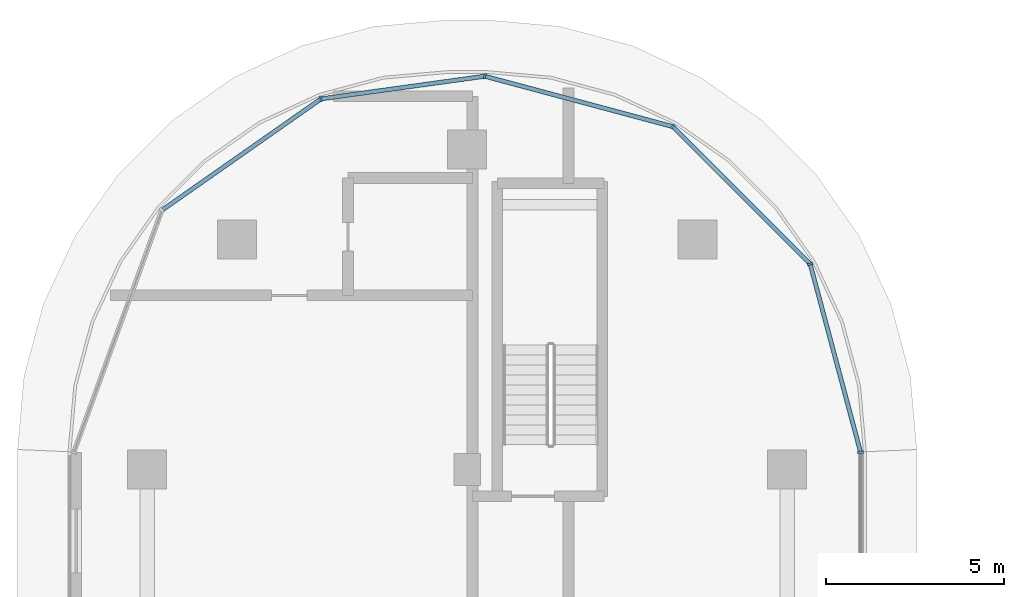
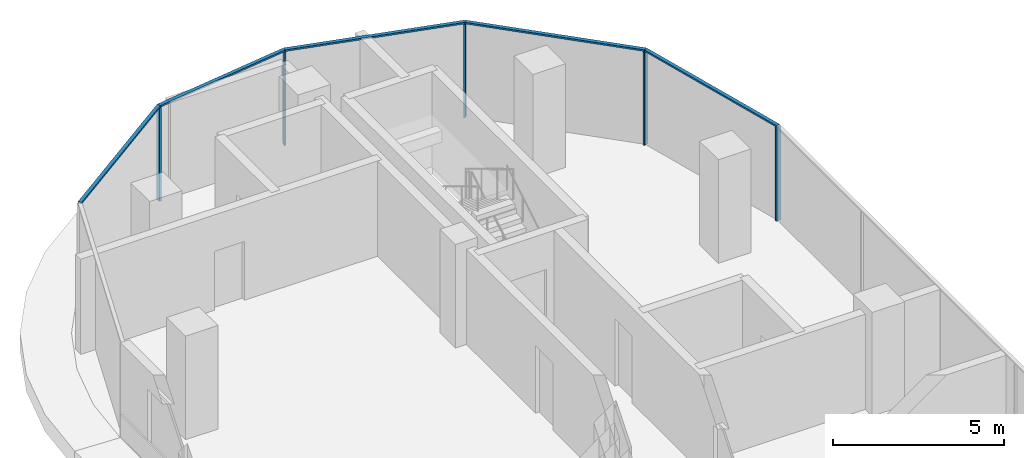
# One storey, part 7 of 26: 10 members, 2 elements without a shape of their own.
"""IFC4 building model written with IfcOpenShell, lengths in metres."""

from ifc_helpers import new_model, si_unit, direction, frame, origin, origin_2d, place, context, subcontext, project, spatial, rectangle, extrude, material, material_profile, profile_set, type_object, element, aggregate, save


model = new_model("IFC4")

# Units and contexts
model_context = context("Model", 3, precision=1e-05, world=origin(), true_north=direction((0.0, 1.0)))
body_context = subcontext(model_context, "Body", "Model", "MODEL_VIEW")
ifc_project = project(units=[si_unit("LENGTHUNIT", "METRE"), si_unit("AREAUNIT", "SQUARE_METRE"), si_unit("VOLUMEUNIT", "CUBIC_METRE"), si_unit("PLANEANGLEUNIT", "RADIAN"), si_unit("MASSUNIT", "GRAM", prefix="KILO")], contexts=[model_context])

# Site, building, storey
site_placement = place(None, origin())
site = spatial("IfcSite", under=ifc_project, at=site_placement, CompositionType="ELEMENT")
building_placement = place(site_placement, origin())
building = spatial("IfcBuilding", under=site, at=building_placement, Name="Ogive Portal Towers", CompositionType="ELEMENT")
storey_placement = place(building_placement, frame((0.0, 0.0, 171.800048828125)))
storey = spatial("IfcBuildingStorey", under=building, at=storey_placement, Name="L42", CompositionType="ELEMENT", Elevation=171.800048828125)

# Curtain wall, member
ifc_material_1 = material(Name="Glass, clear low-iron insulated glazing", Category="glass")
curtain_wall_type = type_object("IfcCurtainWallType", Name="CW FRONT RIBBON 4500", PredefinedType="NOTDEFINED", material=ifc_material_1)
curtain_wall_1_placement = place(storey_placement, origin())
curtain_wall_1 = element("IfcCurtainWall", 1, at=curtain_wall_1_placement, inside=storey, type_object=curtain_wall_type, Name="A:L42:f15:cw0", PredefinedType="NOTDEFINED")
ifc_material_2 = material(Name="Aluminium 6063 anodised", Category="aluminium")
ifc_material_profile_1 = material_profile(ifc_material_2, rectangle(XDim=0.159912109375, YDim=0.06005859375, at=origin_2d()), Name="AL 60x160")
ifc_profile_set_1 = profile_set([ifc_material_profile_1], Name="Aluminium 6063 anodised")
member_type_1 = type_object("IfcMemberType", Name="CW MULLION 60x160", PredefinedType="MULLION", material=ifc_profile_set_1)
member_1_placement = place(storey_placement, frame((51.56494140625, 66.989501953125, 0.0), z_axis=(0.0, 0.0, 1.0), x_axis=(-1.0, 0.0, 0.0)))
member_1 = element("IfcMember", 2, at=member_1_placement, type_object=member_type_1, Name="mullion", PredefinedType="MULLION", context=body_context, shape_type="SweptSolid", body=[
    extrude(rectangle(XDim=0.159912109375, YDim=0.06005859375, at=origin_2d()), origin(), (0.0, 0.0, 1.0), 3.33984375),
])
aggregate(curtain_wall_1, [member_1])

# Curtain wall, members
curtain_wall_2_placement = place(storey_placement, origin())
curtain_wall_2 = element("IfcCurtainWall", 3, at=curtain_wall_2_placement, inside=storey, type_object=curtain_wall_type, Name="A:L42:f16:cwa", PredefinedType="NOTDEFINED")
member_2_placement = place(storey_placement, frame((50.147216796875, 72.281005859375, 0.0), z_axis=(0.0, 0.0, 1.0), x_axis=(-0.965925826289, -0.258819045103, 0.0)))
member_2 = element("IfcMember", 4, at=member_2_placement, type_object=member_type_1, Name="mullion", PredefinedType="MULLION", context=body_context, shape_type="SweptSolid", body=[
    extrude(rectangle(XDim=0.159912109375, YDim=0.06005859375, at=origin_2d()), origin(), (0.0, 0.0, 1.0), 3.33984375),
])
member_3_placement = place(storey_placement, frame((46.281005859375, 76.147216796875, 0.0), z_axis=(0.0, 0.0, 1.0), x_axis=(-0.707106781187, -0.707106781187, 0.0)))
member_3 = element("IfcMember", 5, at=member_3_placement, type_object=member_type_1, Name="mullion", PredefinedType="MULLION", context=body_context, shape_type="SweptSolid", body=[
    extrude(rectangle(XDim=0.159912109375, YDim=0.06005859375, at=origin_2d()), origin(), (0.0, 0.0, 1.0), 3.33984375),
])
member_4_placement = place(storey_placement, frame((40.994873046875, 77.5634765625, 0.0), z_axis=(0.0, 0.0, 1.0), x_axis=(-0.258819045103, -0.965925826289, 0.0)))
member_4 = element("IfcMember", 6, at=member_4_placement, type_object=member_type_1, Name="mullion", PredefinedType="MULLION", context=body_context, shape_type="SweptSolid", body=[
    extrude(rectangle(XDim=0.159912109375, YDim=0.06005859375, at=origin_2d()), origin(), (0.0, 0.0, 1.0), 3.33984375),
])
member_5_placement = place(storey_placement, frame((36.38916015625, 76.926513671875, 0.0), z_axis=(0.0, 0.0, 1.0), x_axis=(0.137027216118, -0.990567282946, 0.0)))
member_5 = element("IfcMember", 7, at=member_5_placement, type_object=member_type_1, Name="mullion", PredefinedType="MULLION", context=body_context, shape_type="SweptSolid", body=[
    extrude(rectangle(XDim=0.159912109375, YDim=0.06005859375, at=origin_2d()), origin(), (0.0, 0.0, 1.0), 3.33984375),
])
ifc_material_profile_2 = material_profile(ifc_material_2, rectangle(XDim=0.1201171875, YDim=0.06005859375, at=origin_2d()), Name="AL 120x60")
ifc_profile_set_2 = profile_set([ifc_material_profile_2], Name="Aluminium 6063 anodised")
member_type_2 = type_object("IfcMemberType", Name="CW TRANSOM 60x120", PredefinedType="USERDEFINED", material=ifc_profile_set_2)
member_6_placement = place(storey_placement, frame((51.56494140625, 66.989501953125, 3.369873046875), z_axis=(-0.258796973975, 0.965931739959, 0.0), x_axis=(-0.965931739959, -0.258796973975, 0.0)))
member_6 = element("IfcMember", 8, at=member_6_placement, type_object=member_type_2, Name="transom", ObjectType="TRANSOM", PredefinedType="USERDEFINED", context=body_context, shape_type="SweptSolid", body=[
    extrude(rectangle(XDim=0.1201171875, YDim=0.06005859375, at=origin_2d()), origin(), (0.0, 0.0, 1.0), 5.47802734375),
])
member_7_placement = place(storey_placement, frame((50.147216796875, 72.281005859375, 3.369873046875), z_axis=(-0.707106781187, 0.707106781187, 0.0), x_axis=(-0.707106781187, -0.707106781187, 0.0)))
member_7 = element("IfcMember", 9, at=member_7_placement, type_object=member_type_2, Name="transom", ObjectType="TRANSOM", PredefinedType="USERDEFINED", context=body_context, shape_type="SweptSolid", body=[
    extrude(rectangle(XDim=0.1201171875, YDim=0.06005859375, at=origin_2d()), origin(), (0.0, 0.0, 1.0), 5.467529296875),
])
member_8_placement = place(storey_placement, frame((46.281005859375, 76.147216796875, 3.369873046875), z_axis=(-0.965932918236, 0.258792576145, 0.0), x_axis=(-0.258792576145, -0.965932918236, 0.0)))
member_8 = element("IfcMember", 10, at=member_8_placement, type_object=member_type_2, Name="transom", ObjectType="TRANSOM", PredefinedType="USERDEFINED", context=body_context, shape_type="SweptSolid", body=[
    extrude(rectangle(XDim=0.1201171875, YDim=0.06005859375, at=origin_2d()), origin(), (0.0, 0.0, 1.0), 5.47265625),
])
member_9_placement = place(storey_placement, frame((40.994873046875, 77.5634765625, 3.369873046875), z_axis=(-0.990571803733, -0.136994531457, 0.0), x_axis=(0.136994531457, -0.990571803733, 0.0)))
member_9 = element("IfcMember", 11, at=member_9_placement, type_object=member_type_2, Name="transom", ObjectType="TRANSOM", PredefinedType="USERDEFINED", context=body_context, shape_type="SweptSolid", body=[
    extrude(rectangle(XDim=0.1201171875, YDim=0.06005859375, at=origin_2d()), origin(), (0.0, 0.0, 1.0), 4.649658203125),
])
member_10_placement = place(storey_placement, frame((36.38916015625, 76.926513671875, 3.369873046875), z_axis=(-0.819139574042, -0.573594245298, 0.0), x_axis=(0.573594245298, -0.819139574042, 0.0)))
member_10 = element("IfcMember", 12, at=member_10_placement, type_object=member_type_2, Name="transom", ObjectType="TRANSOM", PredefinedType="USERDEFINED", context=body_context, shape_type="SweptSolid", body=[
    extrude(rectangle(XDim=0.1201171875, YDim=0.06005859375, at=origin_2d()), origin(), (0.0, 0.0, 1.0), 5.465576171875),
])
aggregate(curtain_wall_2, [member_6, member_7, member_8, member_9, member_10, member_2, member_3, member_4, member_5])

save(model, "model.ifc")
